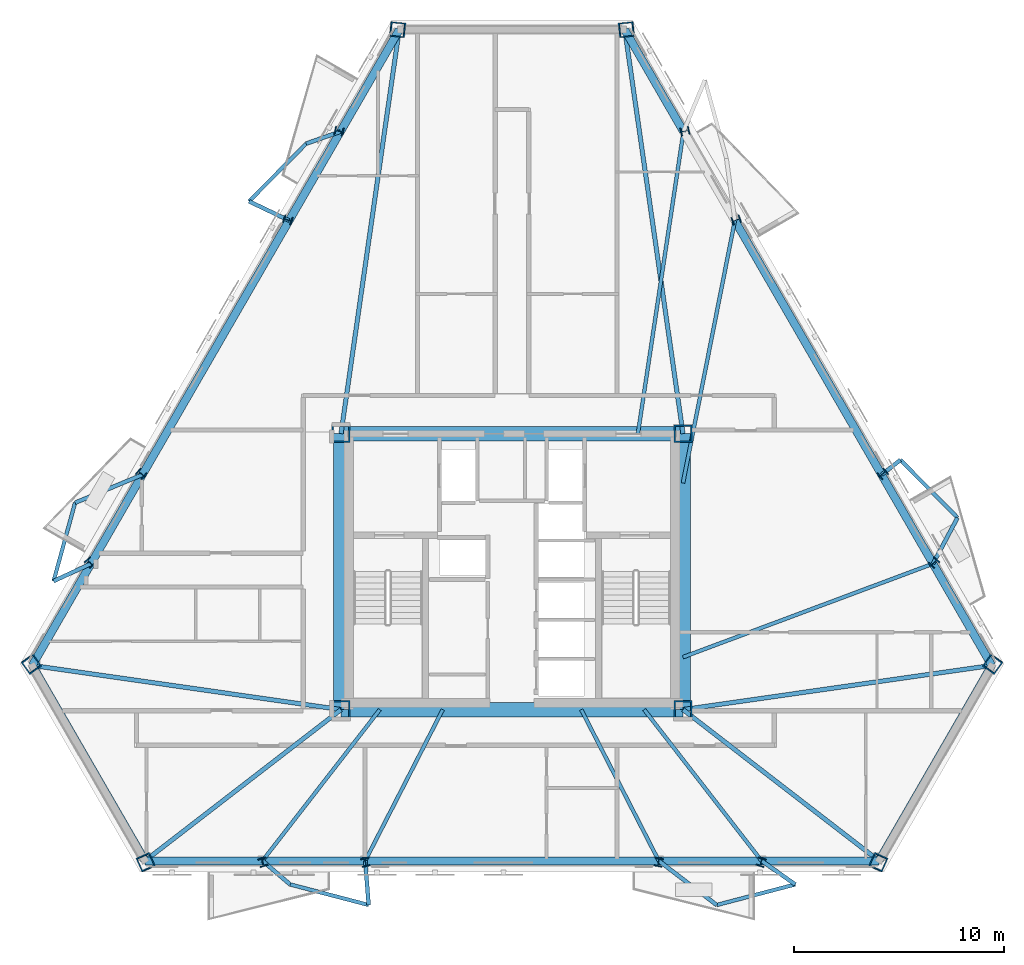
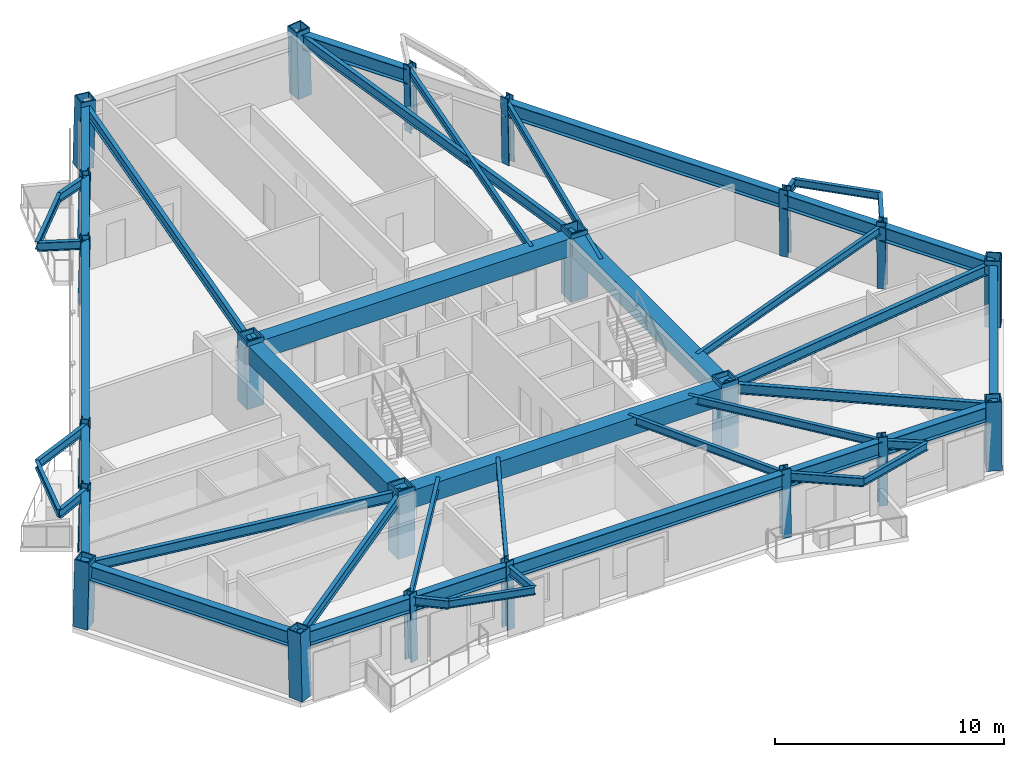
# One storey, part 1 of 9: 48 beams, 22 columns.
"""IFC4 building model written with IfcOpenShell, lengths in metres."""

from ifc_helpers import new_model, si_unit, direction, frame, origin, origin_2d, place, context, subcontext, project, spatial, rectangle, hollow_rectangle, i_section, extrude, material, material_profile, profile_set, type_object, element, save


model = new_model("IFC4")

# Units and contexts
model_context = context("Model", 3, precision=1e-05, world=origin(), true_north=direction((0.0, 1.0)))
body_context = subcontext(model_context, "Body", "Model", "MODEL_VIEW")
ifc_project = project(units=[si_unit("LENGTHUNIT", "METRE"), si_unit("AREAUNIT", "SQUARE_METRE"), si_unit("VOLUMEUNIT", "CUBIC_METRE"), si_unit("PLANEANGLEUNIT", "RADIAN"), si_unit("MASSUNIT", "GRAM", prefix="KILO")], contexts=[model_context])

# Site, building, storey
site_placement = place(None, origin())
site = spatial("IfcSite", under=ifc_project, at=site_placement, CompositionType="ELEMENT")
building_placement = place(site_placement, origin())
building = spatial("IfcBuilding", under=site, at=building_placement, Name="Oramaril Tower", CompositionType="ELEMENT")
storey_placement = place(building_placement, frame((0.0, 0.0, 119.39990234375)))
storey = spatial("IfcBuildingStorey", under=building, at=storey_placement, Name="L31", CompositionType="ELEMENT", Elevation=119.39990234375)

# Columns
ifc_material_1 = material(Name="Steel ASTM A572 Gr 50", Category="steel")
ifc_material_profile_1 = material_profile(ifc_material_1, hollow_rectangle(XDim=0.85009765625, YDim=0.85009765625, WallThickness=0.070068359375, at=origin_2d()), Name="BOX850X850X70")
ifc_profile_set_1 = profile_set([ifc_material_profile_1], Name="Steel ASTM A572 Gr 50")
column_type_1 = type_object("IfcColumnType", Name="CT-CC3", PredefinedType="COLUMN", material=ifc_profile_set_1)
for number, where, z_axis, x_axis, name in (
    (1, (29.35009765625, 11.0, 0.0), (0.0, 0.0, 1.0), (1.0, 0.0, 0.0), "L31 Core Column CC-1"),
    (2, (45.64990234375, 11.0, 0.0), (0.0, 0.0, 1.0), (1.0, 0.0, 0.0), "L31 Core Column CC-2"),
    (3, (45.64990234375, 24.14990234375, 0.0), (0.0, 0.0, 1.0), (1.0, 0.0, 0.0), "L31 Core Column CC-3"),
    (4, (29.35009765625, 24.14990234375, 0.0), (0.0, 0.0, 1.0), (1.0, 0.0, 0.0), "L31 Core Column CC-4"),
):
    element("IfcColumn", number, at=place(storey_placement, frame(where, z_axis=z_axis, x_axis=x_axis)), inside=storey, type_object=column_type_1, Name=name, PredefinedType="COLUMN", context=body_context, shape_type="SweptSolid", body=[
        extrude(hollow_rectangle(XDim=0.85009765625, YDim=0.85009765625, WallThickness=0.070068359375, at=origin_2d()), origin(), (0.0, 0.0, 1.0), 3.60009765625),
    ])
ifc_material_2 = material(Name="Steel ASTM A572 Gr 50", Category="steel")
ifc_material_profile_2 = material_profile(ifc_material_2, hollow_rectangle(XDim=0.699951171875, YDim=0.699951171875, WallThickness=0.054931640625, at=origin_2d()), Name="BOX700X700X55")
ifc_profile_set_2 = profile_set([ifc_material_profile_2], Name="Steel ASTM A572 Gr 50")
column_type_2 = type_object("IfcColumnType", Name="CT-TC4", PredefinedType="COLUMN", material=ifc_profile_set_2)
for number, where, z_axis, x_axis, name in (
    (5, (14.583251953125, 13.1806640625, 0.004638671875), (0.014816108648, -0.020525067943, 0.999679550911), (0.810820798535, 0.585294483711, 0.0), "L31 Tube Column TC-01"),
    (6, (20.04931640625, 3.712890625, 0.004638671875), (-0.010330482098, 0.023175621022, 0.999678034034), (-0.913369193149, -0.40713230897, 0.0), "L31 Tube Column TC-02"),
    (7, (54.95068359375, 3.712890625, 0.004638671875), (0.010330482098, 0.023175621022, 0.999678034034), (-0.913369193149, 0.40713230897, 0.0), "L31 Tube Column TC-03"),
    (8, (60.416748046875, 13.1806640625, 0.004638671875), (-0.014816108648, -0.020525067943, 0.999679550911), (0.810820798535, -0.585294483711, 0.0), "L31 Tube Column TC-04"),
    (9, (42.966064453125, 43.40625, 0.004638671875), (-0.025146628722, -0.002582626734, 0.999680437491), (0.102165304181, -0.994767435445, 0.0), "L31 Tube Column TC-05"),
    (10, (32.033935546875, 43.40625, 0.004638671875), (0.025146628722, -0.002582626734, 0.999680437491), (0.102165304181, 0.994767435445, 0.0), "L31 Tube Column TC-06"),
):
    element("IfcColumn", number, at=place(storey_placement, frame(where, z_axis=z_axis, x_axis=x_axis)), inside=storey, type_object=column_type_2, Name=name, PredefinedType="COLUMN", context=body_context, shape_type="SweptSolid", body=[
        extrude(hollow_rectangle(XDim=0.699951171875, YDim=0.699951171875, WallThickness=0.054931640625, at=origin_2d()), origin(), (0.0, 0.0, 1.0), 3.59228515625),
    ])
ifc_material_3 = material(Name="Steel ASTM A572 Gr 50", Category="steel")
ifc_material_profile_3 = material_profile(ifc_material_3, i_section(OverallWidth=0.404052734375, OverallDepth=0.406005859375, WebThickness=0.027099609375, FlangeThickness=0.043701171875, at=origin_2d()), Name="W14X233")
ifc_profile_set_3 = profile_set([ifc_material_profile_3], Name="Steel ASTM A572 Gr 50")
column_type_3 = type_object("IfcColumnType", Name="CT-TF3", PredefinedType="COLUMN", material=ifc_profile_set_3)
for number, where, z_axis, x_axis, name in (
    (11, (25.633544921875, 3.712890625, 0.004638671875), (-0.007000462915, 0.023176289843, 0.999706883595), (-0.957283735724, -0.289150219295, 0.0), "L31 Tube Column TC-07"),
    (12, (30.519775390625, 3.712890625, 0.004638671875), (-0.00414597118, 0.023176658563, 0.999722788287), (-0.984374005886, -0.176090364689, 0.0), "L31 Tube Column TC-08"),
    (13, (44.480224609375, 3.712890625, 0.004638671875), (0.00414597118, 0.023176658563, 0.999722788287), (-0.984374005886, 0.176090364689, 0.0), "L31 Tube Column TC-09"),
    (14, (49.366455078125, 3.712890625, 0.004638671875), (0.007000462915, 0.023176289843, 0.999706883595), (-0.957283735724, 0.289150219295, 0.0), "L31 Tube Column TC-10"),
    (15, (57.624755859375, 18.016845703125, 0.004638671875), (-0.016515664419, -0.017671081271, 0.999707440062), (0.730587883702, -0.682818675922, 0.0), "L31 Tube Column TC-11"),
    (16, (55.181640625, 22.248291015625, 0.004638671875), (-0.017943261889, -0.015088652043, 0.999725148194), (0.643599935875, -0.765362085905, 0.0), "L31 Tube Column TC-12"),
    (17, (48.201416015625, 34.33837890625, 0.004638671875), (-0.022089225815, -0.007952121293, 0.999724376951), (0.338719468273, -0.940887411869, 0.0), "L31 Tube Column TC-13"),
    (18, (45.75830078125, 38.570068359375, 0.004638671875), (-0.023584088212, -0.005437253766, 0.999707070624), (0.224654409911, -0.974438502989, 0.0), "L31 Tube Column TC-14"),
    (19, (29.24169921875, 38.570068359375, 0.004638671875), (0.023584088212, -0.005437253766, 0.999707070624), (0.224654409911, 0.974438502989, 0.0), "L31 Tube Column TC-15"),
    (20, (26.798583984375, 34.33837890625, 0.004638671875), (0.022089225815, -0.007952121293, 0.999724376951), (0.338719468273, 0.940887411869, 0.0), "L31 Tube Column TC-16"),
    (21, (19.818359375, 22.248291015625, 0.004638671875), (0.017943261889, -0.015088652043, 0.999725148194), (0.643599935875, 0.765362085905, 0.0), "L31 Tube Column TC-17"),
    (22, (17.375244140625, 18.016845703125, 0.004638671875), (0.016515664419, -0.017671081271, 0.999707440062), (0.730587883702, 0.682818675922, 0.0), "L31 Tube Column TC-18"),
):
    element("IfcColumn", number, at=place(storey_placement, frame(where, z_axis=z_axis, x_axis=x_axis)), inside=storey, type_object=column_type_3, Name=name, PredefinedType="COLUMN", context=body_context, shape_type="SweptSolid", body=[
        extrude(i_section(OverallWidth=0.404052734375, OverallDepth=0.406005859375, WebThickness=0.027099609375, FlangeThickness=0.043701171875, at=origin_2d()), origin(), (0.0, 0.0, 1.0), 3.592041015625),
    ])

# Beams
ifc_material_4 = material(Name="Steel ASTM A572 Gr 50", Category="steel")
ifc_material_profile_4 = material_profile(ifc_material_4, i_section(OverallWidth=0.19091796875, OverallDepth=0.45703125, WebThickness=0.009033203125, FlangeThickness=0.014404296875, at=origin_2d()), Name="W18X50")
ifc_profile_set_4 = profile_set([ifc_material_profile_4], Name="Steel ASTM A572 Gr 50")
beam_type_1 = type_object("IfcBeamType", Name="BT-BB1", PredefinedType="BEAM", material=ifc_profile_set_4)
beam_1_placement = place(storey_placement, frame((25.6083984375, 3.796142578125, 3.131591796875), z_axis=(0.759316252814, -0.65072177481, 0.0), x_axis=(0.65072177481, 0.759316252814, 0.0)))
element("IfcBeam", 23, at=beam_1_placement, inside=storey, type_object=beam_type_1, Name="L31 Balcony Column-Framed Cantilever 01.1", PredefinedType="BEAM", context=body_context, shape_type="SweptSolid", body=[
    extrude(i_section(OverallWidth=0.19091796875, OverallDepth=0.45703125, WebThickness=0.009033203125, FlangeThickness=0.014404296875, at=origin_2d()), origin(), (0.0, 0.0, 1.0), 1.7333984375),
])
beam_2_placement = place(storey_placement, frame((30.5048828125, 3.796142578125, 3.131591796875), z_axis=(0.077473451387, -0.996994415396, 0.0), x_axis=(0.996994415396, 0.077473451387, 0.0)))
element("IfcBeam", 24, at=beam_2_placement, inside=storey, type_object=beam_type_1, Name="L31 Balcony Column-Framed Cantilever 01.2", PredefinedType="BEAM", context=body_context, shape_type="SweptSolid", body=[
    extrude(i_section(OverallWidth=0.19091796875, OverallDepth=0.45703125, WebThickness=0.009033203125, FlangeThickness=0.014404296875, at=origin_2d()), origin(), (0.0, 0.0, 1.0), 2.114501953125),
])
beam_3_placement = place(storey_placement, frame((44.4951171875, 3.796142578125, 3.131591796875), z_axis=(0.794826361687, -0.606836926009, 0.0), x_axis=(0.606836926009, 0.794826361687, 0.0)))
element("IfcBeam", 25, at=beam_3_placement, inside=storey, type_object=beam_type_1, Name="L31 Balcony Column-Framed Cantilever 02.1", PredefinedType="BEAM", context=body_context, shape_type="SweptSolid", body=[
    extrude(i_section(OverallWidth=0.19091796875, OverallDepth=0.45703125, WebThickness=0.009033203125, FlangeThickness=0.014404296875, at=origin_2d()), origin(), (0.0, 0.0, 1.0), 3.47412109375),
])
beam_4_placement = place(storey_placement, frame((49.3916015625, 3.796142578125, 3.131591796875), z_axis=(0.818823097385, -0.574045934737, 0.0), x_axis=(0.574045934737, 0.818823097385, 0.0)))
element("IfcBeam", 26, at=beam_4_placement, inside=storey, type_object=beam_type_1, Name="L31 Balcony Column-Framed Cantilever 02.2", PredefinedType="BEAM", context=body_context, shape_type="SweptSolid", body=[
    extrude(i_section(OverallWidth=0.19091796875, OverallDepth=0.45703125, WebThickness=0.009033203125, FlangeThickness=0.014404296875, at=origin_2d()), origin(), (0.0, 0.0, 1.0), 1.96484375),
])
beam_5_placement = place(storey_placement, frame((57.5654296875, 17.953369140625, 3.131591796875), z_axis=(0.469782405338, 0.882782244744, 0.0), x_axis=(-0.882782244744, 0.469782405338, 0.0)))
element("IfcBeam", 27, at=beam_5_placement, inside=storey, type_object=beam_type_1, Name="L31 Balcony Column-Framed Cantilever 03.1", PredefinedType="BEAM", context=body_context, shape_type="SweptSolid", body=[
    extrude(i_section(OverallWidth=0.19091796875, OverallDepth=0.45703125, WebThickness=0.009033203125, FlangeThickness=0.014404296875, at=origin_2d()), origin(), (0.0, 0.0, 1.0), 2.485107421875),
])
beam_6_placement = place(storey_placement, frame((55.1171875, 22.194091796875, 3.131591796875), z_axis=(0.785217093173, 0.619220571839, 0.0), x_axis=(-0.619220571839, 0.785217093173, 0.0)))
element("IfcBeam", 28, at=beam_6_placement, inside=storey, type_object=beam_type_1, Name="L31 Balcony Column-Framed Cantilever 03.2", PredefinedType="BEAM", context=body_context, shape_type="SweptSolid", body=[
    extrude(i_section(OverallWidth=0.19091796875, OverallDepth=0.45703125, WebThickness=0.009033203125, FlangeThickness=0.014404296875, at=origin_2d()), origin(), (0.0, 0.0, 1.0), 1.139892578125),
])
beam_7_placement = place(storey_placement, frame((29.326416015625, 38.550537109375, 3.131591796875), z_axis=(-0.943211104511, -0.332193937824, 0.0), x_axis=(0.332193937824, -0.943211104511, 0.0)))
element("IfcBeam", 29, at=beam_7_placement, inside=storey, type_object=beam_type_1, Name="L31 Balcony Column-Framed Cantilever 05.1", PredefinedType="BEAM", context=body_context, shape_type="SweptSolid", body=[
    extrude(i_section(OverallWidth=0.19091796875, OverallDepth=0.45703125, WebThickness=0.009033203125, FlangeThickness=0.014404296875, at=origin_2d()), origin(), (0.0, 0.0, 1.0), 1.733642578125),
])
beam_8_placement = place(storey_placement, frame((26.8779296875, 34.309814453125, 3.131591796875), z_axis=(-0.902118589023, 0.431488182155, 0.0), x_axis=(-0.431488182155, -0.902118589023, 0.0)))
element("IfcBeam", 30, at=beam_8_placement, inside=storey, type_object=beam_type_1, Name="L31 Balcony Column-Framed Cantilever 05.2", PredefinedType="BEAM", context=body_context, shape_type="SweptSolid", body=[
    extrude(i_section(OverallWidth=0.19091796875, OverallDepth=0.45703125, WebThickness=0.009033203125, FlangeThickness=0.014404296875, at=origin_2d()), origin(), (0.0, 0.0, 1.0), 2.114501953125),
])
beam_9_placement = place(storey_placement, frame((19.8828125, 22.194091796875, 3.131591796875), z_axis=(-0.922929234779, -0.384969645025, 0.0), x_axis=(0.384969645025, -0.922929234779, 0.0)))
element("IfcBeam", 31, at=beam_9_placement, inside=storey, type_object=beam_type_1, Name="L31 Balcony Column-Framed Cantilever 06.1", PredefinedType="BEAM", context=body_context, shape_type="SweptSolid", body=[
    extrude(i_section(OverallWidth=0.19091796875, OverallDepth=0.45703125, WebThickness=0.009033203125, FlangeThickness=0.014404296875, at=origin_2d()), origin(), (0.0, 0.0, 1.0), 3.47412109375),
])
beam_10_placement = place(storey_placement, frame((17.4345703125, 17.953369140625, 3.131591796875), z_axis=(-0.906601732841, -0.421987319727, 0.0), x_axis=(0.421987319727, -0.906601732841, 0.0)))
element("IfcBeam", 32, at=beam_10_placement, inside=storey, type_object=beam_type_1, Name="L31 Balcony Column-Framed Cantilever 06.2", PredefinedType="BEAM", context=body_context, shape_type="SweptSolid", body=[
    extrude(i_section(OverallWidth=0.19091796875, OverallDepth=0.45703125, WebThickness=0.009033203125, FlangeThickness=0.014404296875, at=origin_2d()), origin(), (0.0, 0.0, 1.0), 1.96484375),
])
ifc_material_5 = material(Name="Concrete C50/60", Category="concrete")
ifc_material_profile_5 = material_profile(ifc_material_5, rectangle(XDim=0.699951171875, YDim=0.949951171875, at=origin_2d()), Name="CB700X950")
ifc_profile_set_5 = profile_set([ifc_material_profile_5], Name="Concrete C50/60")
beam_type_2 = type_object("IfcBeamType", Name="BT-CB1", PredefinedType="BEAM", material=ifc_profile_set_5)
beam_11_placement = place(storey_placement, frame((29.35009765625, 11.0, 2.885009765625), z_axis=(1.0, 0.0, 0.0), x_axis=(0.0, 1.0, 0.0)))
element("IfcBeam", 33, at=beam_11_placement, inside=storey, type_object=beam_type_2, Name="L31 Core Header Beam CB-1", PredefinedType="BEAM", context=body_context, shape_type="SweptSolid", body=[
    extrude(rectangle(XDim=0.699951171875, YDim=0.949951171875, at=origin_2d()), origin(), (0.0, 0.0, 1.0), 16.2998046875),
])
beam_12_placement = place(storey_placement, frame((45.64990234375, 11.0, 2.885009765625), z_axis=(0.0, 1.0, 0.0), x_axis=(-1.0, 0.0, 0.0)))
element("IfcBeam", 34, at=beam_12_placement, inside=storey, type_object=beam_type_2, Name="L31 Core Header Beam CB-2", PredefinedType="BEAM", context=body_context, shape_type="SweptSolid", body=[
    extrude(rectangle(XDim=0.699951171875, YDim=0.949951171875, at=origin_2d()), origin(), (0.0, 0.0, 1.0), 13.14990234375),
])
beam_13_placement = place(storey_placement, frame((45.64990234375, 24.14990234375, 2.885009765625), z_axis=(-1.0, 0.0, 0.0), x_axis=(0.0, -1.0, 0.0)))
element("IfcBeam", 35, at=beam_13_placement, inside=storey, type_object=beam_type_2, Name="L31 Core Header Beam CB-3", PredefinedType="BEAM", context=body_context, shape_type="SweptSolid", body=[
    extrude(rectangle(XDim=0.699951171875, YDim=0.949951171875, at=origin_2d()), origin(), (0.0, 0.0, 1.0), 16.2998046875),
])
beam_14_placement = place(storey_placement, frame((29.35009765625, 24.14990234375, 2.885009765625), z_axis=(0.0, -1.0, 0.0), x_axis=(1.0, 0.0, 0.0)))
element("IfcBeam", 36, at=beam_14_placement, inside=storey, type_object=beam_type_2, Name="L31 Core Header Beam CB-4", PredefinedType="BEAM", context=body_context, shape_type="SweptSolid", body=[
    extrude(rectangle(XDim=0.699951171875, YDim=0.949951171875, at=origin_2d()), origin(), (0.0, 0.0, 1.0), 13.14990234375),
])
ifc_material_6 = material(Name="Steel ASTM A572 Gr 50", Category="steel")
ifc_material_profile_6 = material_profile(ifc_material_6, i_section(OverallWidth=0.2099609375, OverallDepth=0.535888671875, WebThickness=0.010986328125, FlangeThickness=0.017333984375, at=origin_2d()), Name="W21X68")
ifc_profile_set_6 = profile_set([ifc_material_profile_6], Name="Steel ASTM A572 Gr 50")
beam_type_3 = type_object("IfcBeamType", Name="BT-FB2", PredefinedType="BEAM", material=ifc_profile_set_6)
beam_15_placement = place(storey_placement, frame((29.35009765625, 11.0, 3.092041015625), z_axis=(-0.98990246274, 0.141750182578, 0.0), x_axis=(-0.141750182578, -0.98990246274, 0.0)))
element("IfcBeam", 37, at=beam_15_placement, inside=storey, type_object=beam_type_3, Name="L31 Radial Primary Beam RB-01", PredefinedType="BEAM", context=body_context, shape_type="SweptSolid", body=[
    extrude(i_section(OverallWidth=0.2099609375, OverallDepth=0.535888671875, WebThickness=0.010986328125, FlangeThickness=0.017333984375, at=origin_2d()), origin(), (0.0, 0.0, 1.0), 14.86376953125),
])
for number, where, z_axis, x_axis, name in (
    (38, (29.35009765625, 11.0, 3.092041015625), (-0.791768239338, -0.610821623043, 0.0), (0.610821623043, -0.791768239338, 0.0), "L31 Radial Primary Beam RB-02"),
    (39, (45.64990234375, 11.0, 3.092041015625), (0.791768239338, -0.610821623043, 0.0), (0.610821623043, 0.791768239338, 0.0), "L31 Radial Primary Beam RB-03"),
):
    element("IfcBeam", number, at=place(storey_placement, frame(where, z_axis=z_axis, x_axis=x_axis)), inside=storey, type_object=beam_type_3, Name=name, PredefinedType="BEAM", context=body_context, shape_type="SweptSolid", body=[
        extrude(i_section(OverallWidth=0.2099609375, OverallDepth=0.535888671875, WebThickness=0.010986328125, FlangeThickness=0.017333984375, at=origin_2d()), origin(), (0.0, 0.0, 1.0), 11.793701171875),
    ])
beam_16_placement = place(storey_placement, frame((45.64990234375, 11.0, 3.092041015625), z_axis=(0.98990246274, 0.141750182578, 0.0), x_axis=(-0.141750182578, 0.98990246274, 0.0)))
element("IfcBeam", 40, at=beam_16_placement, inside=storey, type_object=beam_type_3, Name="L31 Radial Primary Beam RB-04", PredefinedType="BEAM", context=body_context, shape_type="SweptSolid", body=[
    extrude(i_section(OverallWidth=0.2099609375, OverallDepth=0.535888671875, WebThickness=0.010986328125, FlangeThickness=0.017333984375, at=origin_2d()), origin(), (0.0, 0.0, 1.0), 14.86376953125),
])
for number, where, z_axis, x_axis, name in (
    (41, (45.64990234375, 24.14990234375, 3.092041015625), (-0.14266040606, 0.989771695162, 0.0), (-0.989771695162, -0.14266040606, 0.0), "L31 Radial Primary Beam RB-05"),
    (42, (29.35009765625, 24.14990234375, 3.092041015625), (0.14266040606, 0.989771695162, 0.0), (-0.989771695162, 0.14266040606, 0.0), "L31 Radial Primary Beam RB-06"),
):
    element("IfcBeam", number, at=place(storey_placement, frame(where, z_axis=z_axis, x_axis=x_axis)), inside=storey, type_object=beam_type_3, Name=name, PredefinedType="BEAM", context=body_context, shape_type="SweptSolid", body=[
        extrude(i_section(OverallWidth=0.2099609375, OverallDepth=0.535888671875, WebThickness=0.010986328125, FlangeThickness=0.017333984375, at=origin_2d()), origin(), (0.0, 0.0, 1.0), 19.446044921875),
    ])
ifc_material_7 = material(Name="Steel ASTM A572 Gr 50", Category="steel")
ifc_material_profile_7 = material_profile(ifc_material_7, i_section(OverallWidth=0.177978515625, OverallDepth=0.404052734375, WebThickness=0.007568359375, FlangeThickness=0.010986328125, at=origin_2d()), Name="W16X36")
ifc_profile_set_7 = profile_set([ifc_material_profile_7], Name="Steel ASTM A572 Gr 50")
beam_type_4 = type_object("IfcBeamType", Name="BT-SB1", PredefinedType="BEAM", material=ifc_profile_set_7)
beam_17_placement = place(storey_placement, frame((31.199951171875, 11.0, 3.158203125), z_axis=(-0.613158159062, -0.789960171132, 0.0), x_axis=(0.789960171132, -0.613158159062, 0.0)))
element("IfcBeam", 43, at=beam_17_placement, inside=storey, type_object=beam_type_4, Name="L31 Secondary Floor Beam SB-01", PredefinedType="BEAM", context=body_context, shape_type="SweptSolid", body=[
    extrude(i_section(OverallWidth=0.177978515625, OverallDepth=0.404052734375, WebThickness=0.007568359375, FlangeThickness=0.010986328125, at=origin_2d()), origin(), (0.0, 0.0, 1.0), 9.119384765625),
])
for number, where, z_axis, x_axis, name in (
    (44, (34.199951171875, 11.0, 3.158203125), (-0.45639317102, -0.889778215876, 0.0), (0.889778215876, -0.45639317102, 0.0), "L31 Secondary Floor Beam SB-02"),
    (45, (40.800048828125, 11.0, 3.158203125), (0.45639317102, -0.889778215876, 0.0), (0.889778215876, 0.45639317102, 0.0), "L31 Secondary Floor Beam SB-03"),
):
    element("IfcBeam", number, at=place(storey_placement, frame(where, z_axis=z_axis, x_axis=x_axis)), inside=storey, type_object=beam_type_4, Name=name, PredefinedType="BEAM", context=body_context, shape_type="SweptSolid", body=[
        extrude(i_section(OverallWidth=0.177978515625, OverallDepth=0.404052734375, WebThickness=0.007568359375, FlangeThickness=0.010986328125, at=origin_2d()), origin(), (0.0, 0.0, 1.0), 8.09619140625),
    ])
beam_18_placement = place(storey_placement, frame((43.800048828125, 11.0, 3.158203125), z_axis=(0.613158159062, -0.789960171132, 0.0), x_axis=(0.789960171132, 0.613158159062, 0.0)))
element("IfcBeam", 46, at=beam_18_placement, inside=storey, type_object=beam_type_4, Name="L31 Secondary Floor Beam SB-04", PredefinedType="BEAM", context=body_context, shape_type="SweptSolid", body=[
    extrude(i_section(OverallWidth=0.177978515625, OverallDepth=0.404052734375, WebThickness=0.007568359375, FlangeThickness=0.010986328125, at=origin_2d()), origin(), (0.0, 0.0, 1.0), 9.119384765625),
])
beam_19_placement = place(storey_placement, frame((45.64990234375, 13.5, 3.158203125), z_axis=(0.936715091928, 0.350092611397, 0.0), x_axis=(-0.350092611397, 0.936715091928, 0.0)))
element("IfcBeam", 47, at=beam_19_placement, inside=storey, type_object=beam_type_4, Name="L31 Secondary Floor Beam SB-05", PredefinedType="BEAM", context=body_context, shape_type="SweptSolid", body=[
    extrude(i_section(OverallWidth=0.177978515625, OverallDepth=0.404052734375, WebThickness=0.007568359375, FlangeThickness=0.010986328125, at=origin_2d()), origin(), (0.0, 0.0, 1.0), 12.720458984375),
])
beam_20_placement = place(storey_placement, frame((45.64990234375, 21.800048828125, 3.158203125), z_axis=(0.19386967912, 0.981027291933, 0.0), x_axis=(-0.981027291933, 0.19386967912, 0.0)))
element("IfcBeam", 48, at=beam_20_placement, inside=storey, type_object=beam_type_4, Name="L31 Secondary Floor Beam SB-06", PredefinedType="BEAM", context=body_context, shape_type="SweptSolid", body=[
    extrude(i_section(OverallWidth=0.177978515625, OverallDepth=0.404052734375, WebThickness=0.007568359375, FlangeThickness=0.010986328125, at=origin_2d()), origin(), (0.0, 0.0, 1.0), 12.751708984375),
])
beam_21_placement = place(storey_placement, frame((43.5, 24.14990234375, 3.158203125), z_axis=(0.149246198115, 0.988800066924, 0.0), x_axis=(-0.988800066924, 0.149246198115, 0.0)))
element("IfcBeam", 49, at=beam_21_placement, inside=storey, type_object=beam_type_4, Name="L31 Secondary Floor Beam SB-07", PredefinedType="BEAM", context=body_context, shape_type="SweptSolid", body=[
    extrude(i_section(OverallWidth=0.177978515625, OverallDepth=0.404052734375, WebThickness=0.007568359375, FlangeThickness=0.010986328125, at=origin_2d()), origin(), (0.0, 0.0, 1.0), 14.563720703125),
])
for number, where, z_axis, x_axis, name in (
    (50, (26.924560546875, 2.668212890625, 3.158203125), (0.967396513976, -0.253266627779, 0.0), (0.253266627779, 0.967396513976, 0.0), "L31 Balcony Edge Tie Beam 01"),
    (51, (47.25634765625, 1.68798828125, 3.158203125), (0.967396513976, 0.253266627779, 0.0), (-0.253266627779, 0.967396513976, 0.0), "L31 Balcony Edge Tie Beam 02"),
    (52, (58.73291015625, 20.147216796875, 3.158203125), (-0.702962973102, 0.711226446673, 0.0), (-0.711226446673, -0.702962973102, 0.0), "L31 Balcony Edge Tie Beam 03"),
):
    element("IfcBeam", number, at=place(storey_placement, frame(where, z_axis=z_axis, x_axis=x_axis)), inside=storey, type_object=beam_type_4, Name=name, PredefinedType="BEAM", context=body_context, shape_type="SweptSolid", body=[
        extrude(i_section(OverallWidth=0.177978515625, OverallDepth=0.404052734375, WebThickness=0.007568359375, FlangeThickness=0.010986328125, at=origin_2d()), origin(), (0.0, 0.0, 1.0), 3.870361328125),
    ])
for number, where, z_axis, x_axis, name in (
    (53, (27.691162109375, 37.974609375, 3.158203125), (-0.702994511648, -0.71119527318, 0.0), (0.71119527318, -0.702994511648, 0.0), "L31 Balcony Edge Tie Beam 05"),
    (54, (16.676513671875, 20.856689453125, 3.158203125), (-0.264382243015, -0.964417974521, 0.0), (0.964417974521, -0.264382243015, 0.0), "L31 Balcony Edge Tie Beam 06"),
):
    element("IfcBeam", number, at=place(storey_placement, frame(where, z_axis=z_axis, x_axis=x_axis)), inside=storey, type_object=beam_type_4, Name=name, PredefinedType="BEAM", context=body_context, shape_type="SweptSolid", body=[
        extrude(i_section(OverallWidth=0.177978515625, OverallDepth=0.404052734375, WebThickness=0.007568359375, FlangeThickness=0.010986328125, at=origin_2d()), origin(), (0.0, 0.0, 1.0), 3.8701171875),
    ])
ifc_material_8 = material(Name="Steel ASTM A572 Gr 50", Category="steel")
ifc_material_profile_8 = material_profile(ifc_material_8, i_section(OverallWidth=0.381103515625, OverallDepth=0.77197265625, WebThickness=0.0166015625, FlangeThickness=0.027099609375, at=origin_2d()), Name="W30X173")
ifc_profile_set_8 = profile_set([ifc_material_profile_8], Name="Steel ASTM A572 Gr 50")
beam_type_5 = type_object("IfcBeamType", Name="BT-SP2", PredefinedType="SPANDREL", material=ifc_profile_set_8)
beam_22_placement = place(storey_placement, frame((14.636474609375, 13.10693359375, 2.97412109375), z_axis=(0.500010095722, -0.866019574938, 0.0), x_axis=(0.866019574938, 0.500010095722, 0.0)))
element("IfcBeam", 55, at=beam_22_placement, inside=storey, type_object=beam_type_5, Name="L31 Perimeter Spandrel 01", PredefinedType="SPANDREL", context=body_context, shape_type="SweptSolid", body=[
    extrude(i_section(OverallWidth=0.381103515625, OverallDepth=0.77197265625, WebThickness=0.0166015625, FlangeThickness=0.027099609375, at=origin_2d()), origin(), (0.0, 0.0, 1.0), 10.751220703125),
])
beam_23_placement = place(storey_placement, frame((20.01220703125, 3.796142578125, 2.97412109375), z_axis=(1.0, 0.0, 0.0), x_axis=(0.0, 1.0, 0.0)))
element("IfcBeam", 56, at=beam_23_placement, inside=storey, type_object=beam_type_5, Name="L31 Perimeter Spandrel 02", PredefinedType="SPANDREL", context=body_context, shape_type="SweptSolid", body=[
    extrude(i_section(OverallWidth=0.381103515625, OverallDepth=0.77197265625, WebThickness=0.0166015625, FlangeThickness=0.027099609375, at=origin_2d()), origin(), (0.0, 0.0, 1.0), 5.59619140625),
])
beam_24_placement = place(storey_placement, frame((25.6083984375, 3.796142578125, 2.97412109375), z_axis=(1.0, 0.0, 0.0), x_axis=(0.0, 1.0, 0.0)))
element("IfcBeam", 57, at=beam_24_placement, inside=storey, type_object=beam_type_5, Name="L31 Perimeter Spandrel 03", PredefinedType="SPANDREL", context=body_context, shape_type="SweptSolid", body=[
    extrude(i_section(OverallWidth=0.381103515625, OverallDepth=0.77197265625, WebThickness=0.0166015625, FlangeThickness=0.027099609375, at=origin_2d()), origin(), (0.0, 0.0, 1.0), 4.896484375),
])
beam_25_placement = place(storey_placement, frame((30.5048828125, 3.796142578125, 2.97412109375), z_axis=(1.0, 0.0, 0.0), x_axis=(0.0, 1.0, 0.0)))
element("IfcBeam", 58, at=beam_25_placement, inside=storey, type_object=beam_type_5, Name="L31 Perimeter Spandrel 04", PredefinedType="SPANDREL", context=body_context, shape_type="SweptSolid", body=[
    extrude(i_section(OverallWidth=0.381103515625, OverallDepth=0.77197265625, WebThickness=0.0166015625, FlangeThickness=0.027099609375, at=origin_2d()), origin(), (0.0, 0.0, 1.0), 13.990234375),
])
beam_26_placement = place(storey_placement, frame((44.4951171875, 3.796142578125, 2.97412109375), z_axis=(1.0, 0.0, 0.0), x_axis=(0.0, 1.0, 0.0)))
element("IfcBeam", 59, at=beam_26_placement, inside=storey, type_object=beam_type_5, Name="L31 Perimeter Spandrel 05", PredefinedType="SPANDREL", context=body_context, shape_type="SweptSolid", body=[
    extrude(i_section(OverallWidth=0.381103515625, OverallDepth=0.77197265625, WebThickness=0.0166015625, FlangeThickness=0.027099609375, at=origin_2d()), origin(), (0.0, 0.0, 1.0), 4.896484375),
])
beam_27_placement = place(storey_placement, frame((49.3916015625, 3.796142578125, 2.97412109375), z_axis=(1.0, 0.0, 0.0), x_axis=(0.0, 1.0, 0.0)))
element("IfcBeam", 60, at=beam_27_placement, inside=storey, type_object=beam_type_5, Name="L31 Perimeter Spandrel 06", PredefinedType="SPANDREL", context=body_context, shape_type="SweptSolid", body=[
    extrude(i_section(OverallWidth=0.381103515625, OverallDepth=0.77197265625, WebThickness=0.0166015625, FlangeThickness=0.027099609375, at=origin_2d()), origin(), (0.0, 0.0, 1.0), 5.59619140625),
])
beam_28_placement = place(storey_placement, frame((54.98779296875, 3.796142578125, 2.97412109375), z_axis=(0.500010095722, 0.866019574938, 0.0), x_axis=(-0.866019574938, 0.500010095722, 0.0)))
element("IfcBeam", 61, at=beam_28_placement, inside=storey, type_object=beam_type_5, Name="L31 Perimeter Spandrel 07", PredefinedType="SPANDREL", context=body_context, shape_type="SweptSolid", body=[
    extrude(i_section(OverallWidth=0.381103515625, OverallDepth=0.77197265625, WebThickness=0.0166015625, FlangeThickness=0.027099609375, at=origin_2d()), origin(), (0.0, 0.0, 1.0), 10.751220703125),
])
beam_29_placement = place(storey_placement, frame((60.363525390625, 13.10693359375, 2.97412109375), z_axis=(-0.500000648057, 0.866025029628, 0.0), x_axis=(-0.866025029628, -0.500000648057, 0.0)))
element("IfcBeam", 62, at=beam_29_placement, inside=storey, type_object=beam_type_5, Name="L31 Perimeter Spandrel 08", PredefinedType="SPANDREL", context=body_context, shape_type="SweptSolid", body=[
    extrude(i_section(OverallWidth=0.381103515625, OverallDepth=0.77197265625, WebThickness=0.0166015625, FlangeThickness=0.027099609375, at=origin_2d()), origin(), (0.0, 0.0, 1.0), 5.59619140625),
])
beam_30_placement = place(storey_placement, frame((57.5654296875, 17.953369140625, 2.97412109375), z_axis=(-0.499978529295, 0.866037799547, 0.0), x_axis=(-0.866037799547, -0.499978529295, 0.0)))
element("IfcBeam", 63, at=beam_30_placement, inside=storey, type_object=beam_type_5, Name="L31 Perimeter Spandrel 09", PredefinedType="SPANDREL", context=body_context, shape_type="SweptSolid", body=[
    extrude(i_section(OverallWidth=0.381103515625, OverallDepth=0.77197265625, WebThickness=0.0166015625, FlangeThickness=0.027099609375, at=origin_2d()), origin(), (0.0, 0.0, 1.0), 4.896728515625),
])
beam_31_placement = place(storey_placement, frame((55.1171875, 22.194091796875, 2.97412109375), z_axis=(-0.500005438691, 0.866022263732, 0.0), x_axis=(-0.866022263732, -0.500005438691, 0.0)))
element("IfcBeam", 64, at=beam_31_placement, inside=storey, type_object=beam_type_5, Name="L31 Perimeter Spandrel 10", PredefinedType="SPANDREL", context=body_context, shape_type="SweptSolid", body=[
    extrude(i_section(OverallWidth=0.381103515625, OverallDepth=0.77197265625, WebThickness=0.0166015625, FlangeThickness=0.027099609375, at=origin_2d()), origin(), (0.0, 0.0, 1.0), 13.989990234375),
])
for number, where, z_axis, x_axis, name in (
    (65, (45.673583984375, 38.550537109375, 2.97412109375), (-0.499967927314, 0.866043920167, 0.0), (-0.866043920167, -0.499967927314, 0.0), "L31 Perimeter Spandrel 12"),
    (66, (32.124267578125, 43.39697265625, 2.97412109375), (-0.499967927314, -0.866043920167, 0.0), (0.866043920167, -0.499967927314, 0.0), "L31 Perimeter Spandrel 14"),
):
    element("IfcBeam", number, at=place(storey_placement, frame(where, z_axis=z_axis, x_axis=x_axis)), inside=storey, type_object=beam_type_5, Name=name, PredefinedType="SPANDREL", context=body_context, shape_type="SweptSolid", body=[
        extrude(i_section(OverallWidth=0.381103515625, OverallDepth=0.77197265625, WebThickness=0.0166015625, FlangeThickness=0.027099609375, at=origin_2d()), origin(), (0.0, 0.0, 1.0), 5.595947265625),
    ])
beam_32_placement = place(storey_placement, frame((29.326416015625, 38.550537109375, 2.97412109375), z_axis=(-0.500015922655, -0.86601621064, 0.0), x_axis=(0.86601621064, -0.500015922655, 0.0)))
element("IfcBeam", 67, at=beam_32_placement, inside=storey, type_object=beam_type_5, Name="L31 Perimeter Spandrel 15", PredefinedType="SPANDREL", context=body_context, shape_type="SweptSolid", body=[
    extrude(i_section(OverallWidth=0.381103515625, OverallDepth=0.77197265625, WebThickness=0.0166015625, FlangeThickness=0.027099609375, at=origin_2d()), origin(), (0.0, 0.0, 1.0), 4.896728515625),
])
beam_33_placement = place(storey_placement, frame((26.8779296875, 34.309814453125, 2.97412109375), z_axis=(-0.500005438691, -0.866022263732, 0.0), x_axis=(0.866022263732, -0.500005438691, 0.0)))
element("IfcBeam", 68, at=beam_33_placement, inside=storey, type_object=beam_type_5, Name="L31 Perimeter Spandrel 16", PredefinedType="SPANDREL", context=body_context, shape_type="SweptSolid", body=[
    extrude(i_section(OverallWidth=0.381103515625, OverallDepth=0.77197265625, WebThickness=0.0166015625, FlangeThickness=0.027099609375, at=origin_2d()), origin(), (0.0, 0.0, 1.0), 13.989990234375),
])
beam_34_placement = place(storey_placement, frame((19.8828125, 22.194091796875, 2.97412109375), z_axis=(-0.499978529295, -0.866037799547, 0.0), x_axis=(0.866037799547, -0.499978529295, 0.0)))
element("IfcBeam", 69, at=beam_34_placement, inside=storey, type_object=beam_type_5, Name="L31 Perimeter Spandrel 17", PredefinedType="SPANDREL", context=body_context, shape_type="SweptSolid", body=[
    extrude(i_section(OverallWidth=0.381103515625, OverallDepth=0.77197265625, WebThickness=0.0166015625, FlangeThickness=0.027099609375, at=origin_2d()), origin(), (0.0, 0.0, 1.0), 4.896728515625),
])
beam_35_placement = place(storey_placement, frame((17.4345703125, 17.953369140625, 2.97412109375), z_axis=(-0.500000648057, -0.866025029628, 0.0), x_axis=(0.866025029628, -0.500000648057, 0.0)))
element("IfcBeam", 70, at=beam_35_placement, inside=storey, type_object=beam_type_5, Name="L31 Perimeter Spandrel 18", PredefinedType="SPANDREL", context=body_context, shape_type="SweptSolid", body=[
    extrude(i_section(OverallWidth=0.381103515625, OverallDepth=0.77197265625, WebThickness=0.0166015625, FlangeThickness=0.027099609375, at=origin_2d()), origin(), (0.0, 0.0, 1.0), 5.59619140625),
])

save(model, "model.ifc")
